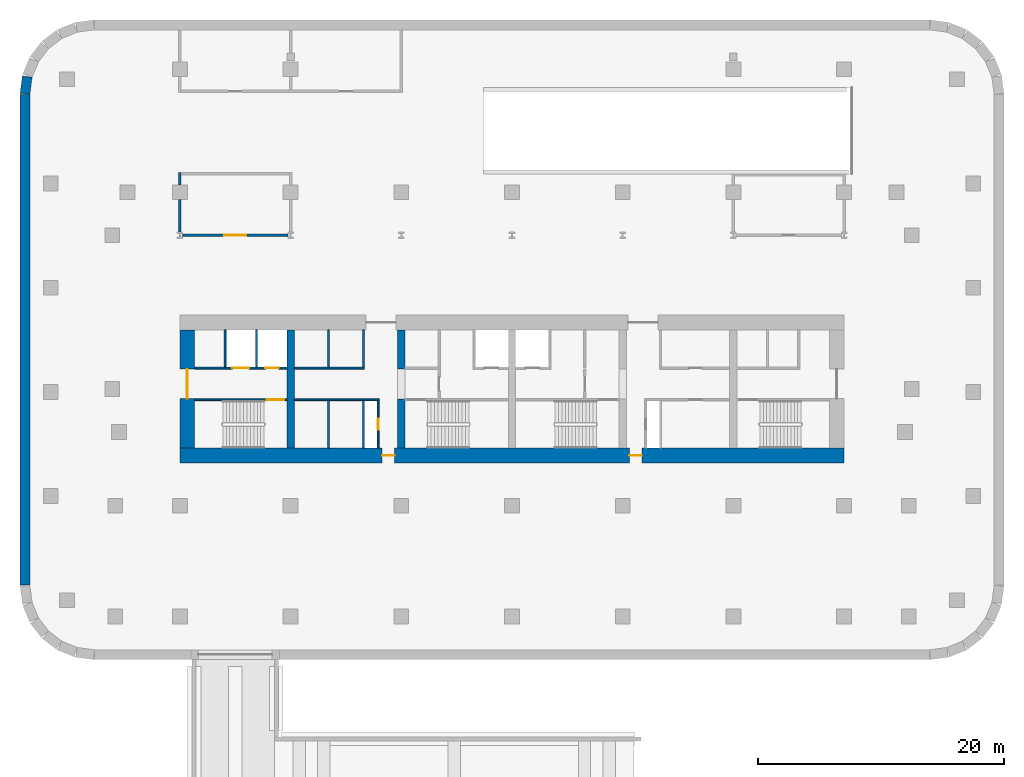
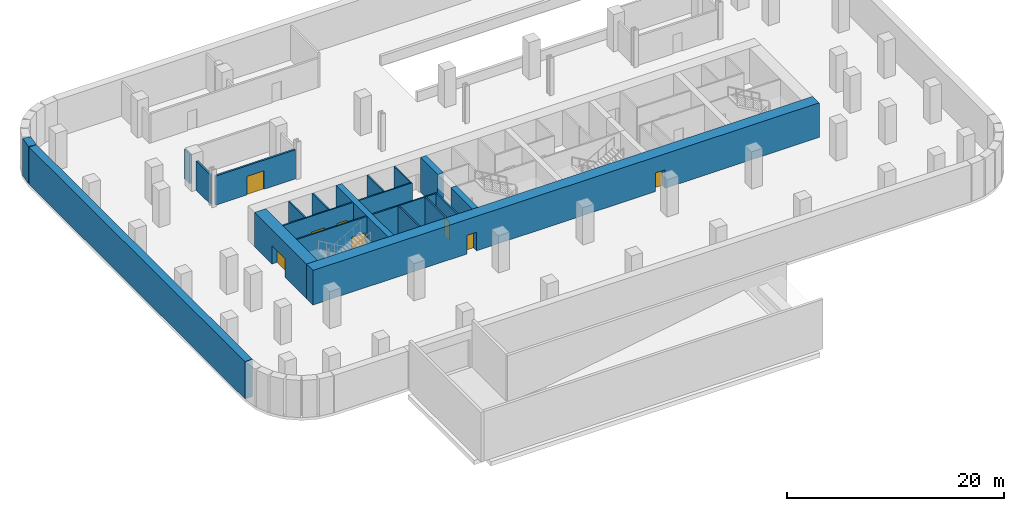
# One storey, part 2 of 6: 21 walls, 8 doors, 8 openings.
"""IFC4 building model written with IfcOpenShell, lengths in metres."""

from ifc_helpers import new_model, si_unit, direction, frame, frame_2d, origin, place, context, subcontext, project, spatial, rectangle, extrude, material, layer, layer_set, type_object, element, fill, save


model = new_model("IFC4")

# Units and contexts
model_context = context("Model", 3, precision=1e-05, world=origin(), true_north=direction((0.0, 1.0)))
body_context = subcontext(model_context, "Body", "Model", "MODEL_VIEW")
ifc_project = project(units=[si_unit("LENGTHUNIT", "METRE"), si_unit("AREAUNIT", "SQUARE_METRE"), si_unit("VOLUMEUNIT", "CUBIC_METRE"), si_unit("PLANEANGLEUNIT", "RADIAN"), si_unit("MASSUNIT", "GRAM", prefix="KILO")], contexts=[model_context])

# Site, building, storey
site_placement = place(None, origin())
site = spatial("IfcSite", under=ifc_project, at=site_placement, CompositionType="ELEMENT")
building_placement = place(site_placement, origin())
building = spatial("IfcBuilding", under=site, at=building_placement, Name="Zellij Exchange Tower", CompositionType="ELEMENT")
storey_placement = place(building_placement, frame((0.0, 0.0, -4.199951171875)))
storey = spatial("IfcBuildingStorey", under=building, at=storey_placement, Name="B1", CompositionType="ELEMENT", Elevation=-4.199951171875)

# Wall, opening, door
ifc_material_1 = material(Name="Concrete C32/40", Category="concrete")
ifc_layer_1 = layer(ifc_material_1, 0.199951171875)
ifc_layer_set_1 = layer_set([ifc_layer_1], Name="Concrete C32/40")
wall_type_1 = type_object("IfcWallType", Name="BSM-Wall 200", PredefinedType="PARTITIONING", material=ifc_layer_set_1)
wall_1_placement = place(storey_placement, frame((-26.772705078125, 4.5, 0.0), z_axis=(0.0, 0.0, 1.0), x_axis=(1.0, 0.0, 0.0)))
wall_1 = element("IfcWall", 1, at=wall_1_placement, inside=storey, type_object=wall_type_1, Name="Partition 1", PredefinedType="PARTITIONING", context=body_context, shape_type="SweptSolid", body=[
    extrude(rectangle(XDim=8.54541015625, YDim=0.199951171875, at=frame_2d((4.272705078125, 0.0))), origin(), (0.0, 0.0, 1.0), 3.287841796875),
])
opening_1_placement = place(wall_1_placement, frame((3.372802734375, 0.0, 0.0)))
opening_1 = element("IfcOpeningElement", 2, at=opening_1_placement, cuts=wall_1, Name="Opening BS1.01", PredefinedType="OPENING", context=body_context, shape_type="SweptSolid", body=[
    extrude(rectangle(XDim=1.800048828125, YDim=2.10009765625, at=frame_2d((0.89990234375, 1.050048828125))), frame((0.0, 0.11181640625, 0.0), z_axis=(0.0, -1.0, 0.0), x_axis=(1.0, 0.0, 0.0)), (0.0, 0.0, 1.0), 0.223876953125),
])
ifc_material_2 = material(Name="Painted steel door leaf", Category="steel")
door_type_1 = type_object("IfcDoorType", Name="BSM-Double door 1800x2100 FD60", OperationType="DOUBLE_DOOR_SINGLE_SWING", PredefinedType="DOOR", material=ifc_material_2)
door_1_placement = place(opening_1_placement, origin())
door_1 = element("IfcDoor", 3, at=door_1_placement, inside=storey, type_object=door_type_1, Name="bsm.B1.door.BS1.01", OperationType="DOUBLE_DOOR_SINGLE_SWING", OverallHeight=2.10009765625, OverallWidth=1.800048828125, PredefinedType="DOOR", context=body_context, shape_type="SweptSolid", body=[
    extrude(rectangle(XDim=1.800048828125, YDim=2.10009765625, at=frame_2d((0.89990234375, 1.050048828125))), frame((0.0, 0.02490234375, 0.0), z_axis=(0.0, -1.0, 0.0), x_axis=(1.0, 0.0, 0.0)), (0.0, 0.0, 1.0), 0.050048828125),
])
fill(opening_1, door_1)

# Walls
wall_2_placement = place(storey_placement, frame((-27.0, 4.784423828125, 0.0), z_axis=(0.0, 0.0, 1.0), x_axis=(0.0, 1.0, 0.0)))
element("IfcWall", 4, at=wall_2_placement, inside=storey, type_object=wall_type_1, Name="Partition 6", PredefinedType="PARTITIONING", context=body_context, shape_type="SweptSolid", body=[
    extrude(rectangle(XDim=2.615478515625, YDim=0.199951171875, at=frame_2d((1.3076171875, 0.0))), origin(), (0.0, 0.0, 1.0), 3.287841796875),
])
wall_3_placement = place(storey_placement, frame((-27.0, 8.60009765625, 0.0), z_axis=(0.0, 0.0, 1.0), x_axis=(0.0, 1.0, 0.0)))
element("IfcWall", 5, at=wall_3_placement, inside=storey, type_object=wall_type_1, Name="Partition 7", PredefinedType="PARTITIONING", context=body_context, shape_type="SweptSolid", body=[
    extrude(rectangle(XDim=1.0, YDim=0.199951171875, at=frame_2d((0.5, 0.0))), origin(), (0.0, 0.0, 1.0), 3.287841796875),
])
ifc_material_3 = material(Name="Concrete C70/85", Category="concrete")
ifc_layer_2 = layer(ifc_material_3, 0.60009765625)
ifc_layer_set_2 = layer_set([ifc_layer_2], Name="Concrete C70/85")
wall_type_2 = type_object("IfcWallType", Name="CORE-CW 600 C70/85", PredefinedType="SHEAR", material=ifc_layer_set_2)
wall_4_placement = place(storey_placement, frame((-18.0, -12.800048828125, 0.0), z_axis=(0.0, 0.0, 1.0), x_axis=(0.0, 1.0, 0.0)))
element("IfcWall", 6, at=wall_4_placement, inside=storey, type_object=wall_type_2, Name="Core cross wall x -18 B1", PredefinedType="SHEAR", context=body_context, shape_type="SweptSolid", body=[
    extrude(rectangle(XDim=9.60009765625, YDim=0.60009765625, at=frame_2d((4.800048828125, 0.0))), origin(), (0.0, 0.0, 1.0), 3.89990234375),
])
wall_5_placement = place(storey_placement, frame((-9.0, -12.800048828125, 0.0), z_axis=(0.0, 0.0, 1.0), x_axis=(0.0, 1.0, 0.0)))
element("IfcWall", 7, at=wall_5_placement, inside=storey, type_object=wall_type_2, Name="Core cross wall pier x -9 a B1", PredefinedType="SHEAR", context=body_context, shape_type="SweptSolid", body=[
    extrude(rectangle(XDim=4.0, YDim=0.60009765625, at=frame_2d((2.0, 0.0))), origin(), (0.0, 0.0, 1.0), 3.89990234375),
])
wall_6_placement = place(storey_placement, frame((-9.0, -6.375, 0.0), z_axis=(0.0, 0.0, 1.0), x_axis=(0.0, 1.0, 0.0)))
element("IfcWall", 8, at=wall_6_placement, inside=storey, type_object=wall_type_2, Name="Core cross wall pier x -9 b B1", PredefinedType="SHEAR", context=body_context, shape_type="SweptSolid", body=[
    extrude(rectangle(XDim=3.175048828125, YDim=0.60009765625, at=frame_2d((1.58740234375, 0.0))), origin(), (0.0, 0.0, 1.0), 3.89990234375),
])
ifc_material_4 = material(Name="Gypsum shaft wall system")
ifc_layer_3 = layer(ifc_material_4, 0.14990234375)
ifc_layer_set_3 = layer_set([ifc_layer_3], Name="Gypsum shaft wall system")
wall_type_3 = type_object("IfcWallType", Name="CORE-PW 150 Lift shaft wall", PredefinedType="PARTITIONING", material=ifc_layer_set_3)
for number, where, z_axis, x_axis, name in (
    (9, (-20.77490234375, -6.22509765625, 0.0), (0.0, 0.0, 1.0), (0.0, 1.0, 0.0), "Lift shaft wall B1"),
    (10, (-23.324951171875, -6.22509765625, 0.0), (0.0, 0.0, 1.0), (0.0, 1.0, 0.0), "Lift shaft wall B1"),
    (11, (-12.074951171875, -6.22509765625, 0.0), (0.0, 0.0, 1.0), (0.0, 1.0, 0.0), "Lift shaft wall B1"),
    (12, (-14.925048828125, -6.22509765625, 0.0), (0.0, 0.0, 1.0), (0.0, 1.0, 0.0), "Lift shaft wall B1"),
):
    element("IfcWall", number, at=place(storey_placement, frame(where, z_axis=z_axis, x_axis=x_axis)), inside=storey, type_object=wall_type_3, Name=name, PredefinedType="PARTITIONING", context=body_context, shape_type="SweptSolid", body=[
        extrude(rectangle(XDim=3.025146484375, YDim=0.14990234375, at=frame_2d((1.5126953125, 0.0))), origin(), (0.0, 0.0, 1.0), 3.89990234375),
    ])
for number, where, z_axis, x_axis, name in (
    (13, (-12.074951171875, -12.800048828125, 0.0), (0.0, 0.0, 1.0), (0.0, 1.0, 0.0), "Lift shaft wall B1"),
    (14, (-14.925048828125, -12.800048828125, 0.0), (0.0, 0.0, 1.0), (0.0, 1.0, 0.0), "Lift shaft wall B1"),
):
    element("IfcWall", number, at=place(storey_placement, frame(where, z_axis=z_axis, x_axis=x_axis)), inside=storey, type_object=wall_type_3, Name=name, PredefinedType="PARTITIONING", context=body_context, shape_type="SweptSolid", body=[
        extrude(rectangle(XDim=3.85009765625, YDim=0.14990234375, at=frame_2d((1.925048828125, 0.0))), origin(), (0.0, 0.0, 1.0), 3.89990234375),
    ])

# Wall, openings, doors
wall_7_placement = place(storey_placement, frame((-25.800048828125, -6.300048828125, 0.0), z_axis=(0.0, 0.0, 1.0), x_axis=(1.0, 0.0, 0.0)))
wall_7 = element("IfcWall", 15, at=wall_7_placement, inside=storey, type_object=wall_type_3, Name="Lift shaft wall B1", PredefinedType="PARTITIONING", context=body_context, shape_type="SweptSolid", body=[
    extrude(rectangle(XDim=7.5, YDim=0.14990234375, at=frame_2d((3.75, 0.0))), origin(), (0.0, 0.0, 1.0), 3.89990234375),
])
opening_2_placement = place(wall_7_placement, frame((3.050048828125, 0.0, 0.0)))
opening_2 = element("IfcOpeningElement", 16, at=opening_2_placement, cuts=wall_7, Name="Opening CA-02.02", PredefinedType="OPENING", context=body_context, shape_type="SweptSolid", body=[
    extrude(rectangle(XDim=1.39990234375, YDim=2.10009765625, at=frame_2d((0.699951171875, 1.050048828125))), frame((0.0, 0.0869140625, 0.0), z_axis=(0.0, -1.0, 0.0), x_axis=(1.0, 0.0, 0.0)), (0.0, 0.0, 1.0), 0.173828125),
])
opening_3_placement = place(wall_7_placement, frame((5.75, 0.0, 0.0)))
opening_3 = element("IfcOpeningElement", 17, at=opening_3_placement, cuts=wall_7, Name="Opening CA-02.03", PredefinedType="OPENING", context=body_context, shape_type="SweptSolid", body=[
    extrude(rectangle(XDim=1.10009765625, YDim=2.10009765625, at=frame_2d((0.550048828125, 1.050048828125))), frame((0.0, 0.0869140625, 0.0), z_axis=(0.0, -1.0, 0.0), x_axis=(1.0, 0.0, 0.0)), (0.0, 0.0, 1.0), 0.173828125),
])
ifc_material_5 = material(Name="Hollow metal fire door")
door_type_2 = type_object("IfcDoorType", Name="CORE-D LD Lift landing door 1100x2100 1.5 HR", OperationType="NOTDEFINED", PredefinedType="DOOR", material=ifc_material_5)
door_2_placement = place(opening_3_placement, origin())
door_2 = element("IfcDoor", 18, at=door_2_placement, inside=storey, type_object=door_type_2, Name="Lift landing door CA-02.03", OperationType="SLIDING_TO_LEFT", OverallHeight=2.10009765625, OverallWidth=1.10009765625, PredefinedType="DOOR", context=body_context, shape_type="SweptSolid", body=[
    extrude(rectangle(XDim=1.10009765625, YDim=2.10009765625, at=frame_2d((0.550048828125, 1.050048828125))), frame((0.0, 0.02490234375, 0.0), z_axis=(0.0, -1.0, 0.0), x_axis=(1.0, 0.0, 0.0)), (0.0, 0.0, 1.0), 0.050048828125),
])
fill(opening_3, door_2)
door_type_3 = type_object("IfcDoorType", Name="CORE-D LD2 Service lift landing door 1400x2100 1.5 HR", OperationType="NOTDEFINED", PredefinedType="DOOR", material=ifc_material_5)
door_3_placement = place(opening_2_placement, origin())
door_3 = element("IfcDoor", 19, at=door_3_placement, inside=storey, type_object=door_type_3, Name="Service lift landing door CA-02.02", OperationType="SLIDING_TO_RIGHT", OverallHeight=2.10009765625, OverallWidth=1.39990234375, PredefinedType="DOOR", context=body_context, shape_type="SweptSolid", body=[
    extrude(rectangle(XDim=1.39990234375, YDim=2.10009765625, at=frame_2d((0.699951171875, 1.050048828125))), frame((0.0, 0.02490234375, 0.0), z_axis=(0.0, -1.0, 0.0), x_axis=(1.0, 0.0, 0.0)), (0.0, 0.0, 1.0), 0.050048828125),
])
fill(opening_2, door_3)

# Walls
wall_8_placement = place(storey_placement, frame((-17.699951171875, -6.300048828125, 0.0), z_axis=(0.0, 0.0, 1.0), x_axis=(1.0, 0.0, 0.0)))
element("IfcWall", 20, at=wall_8_placement, inside=storey, type_object=wall_type_3, Name="Lift shaft wall B1", PredefinedType="PARTITIONING", context=body_context, shape_type="SweptSolid", body=[
    extrude(rectangle(XDim=5.699951171875, YDim=0.14990234375, at=frame_2d((2.85009765625, 0.0))), origin(), (0.0, 0.0, 1.0), 3.89990234375),
])
wall_9_placement = place(storey_placement, frame((-17.699951171875, -8.875, 0.0), z_axis=(0.0, 0.0, 1.0), x_axis=(1.0, 0.0, 0.0)))
element("IfcWall", 21, at=wall_9_placement, inside=storey, type_object=wall_type_3, Name="Lift shaft wall B1", PredefinedType="PARTITIONING", context=body_context, shape_type="SweptSolid", body=[
    extrude(rectangle(XDim=6.89990234375, YDim=0.14990234375, at=frame_2d((3.449951171875, 0.0))), origin(), (0.0, 0.0, 1.0), 3.89990234375),
])

# Wall, opening, door
ifc_layer_4 = layer(ifc_material_4, 0.14990234375)
ifc_layer_set_4 = layer_set([ifc_layer_4], Name="Gypsum shaft wall system")
wall_type_4 = type_object("IfcWallType", Name="CORE-PW 150 Plant room wall", PredefinedType="PARTITIONING", material=ifc_layer_set_4)
wall_10_placement = place(storey_placement, frame((-10.875, -12.800048828125, 0.0), z_axis=(0.0, 0.0, 1.0), x_axis=(0.0, 1.0, 0.0)))
wall_10 = element("IfcWall", 22, at=wall_10_placement, inside=storey, type_object=wall_type_4, Name="Plant room wall B1", PredefinedType="PARTITIONING", context=body_context, shape_type="SweptSolid", body=[
    extrude(rectangle(XDim=3.85009765625, YDim=0.14990234375, at=frame_2d((1.925048828125, 0.0))), origin(), (0.0, 0.0, 1.0), 3.89990234375),
])
opening_4_placement = place(wall_10_placement, frame((1.47509765625, 0.0, 0.0)))
opening_4 = element("IfcOpeningElement", 23, at=opening_4_placement, cuts=wall_10, Name="Opening CA-02.05", PredefinedType="OPENING", context=body_context, shape_type="SweptSolid", body=[
    extrude(rectangle(XDim=0.89990234375, YDim=2.10009765625, at=frame_2d((0.449951171875, 1.050048828125))), frame((0.0, 0.0869140625, 0.0), z_axis=(0.0, -1.0, 0.0), x_axis=(1.0, 0.0, 0.0)), (0.0, 0.0, 1.0), 0.173828125),
])
door_type_4 = type_object("IfcDoorType", Name="CORE-D RD Riser door 900x2100 1.5 HR", OperationType="NOTDEFINED", PredefinedType="DOOR", material=ifc_material_5)
door_4_placement = place(opening_4_placement, origin())
door_4 = element("IfcDoor", 24, at=door_4_placement, inside=storey, type_object=door_type_4, Name="Riser door CA-02.05", OperationType="SINGLE_SWING_RIGHT", OverallHeight=2.10009765625, OverallWidth=0.89990234375, PredefinedType="DOOR", context=body_context, shape_type="SweptSolid", body=[
    extrude(rectangle(XDim=0.89990234375, YDim=2.10009765625, at=frame_2d((0.449951171875, 1.050048828125))), frame((0.0, 0.02490234375, 0.0), z_axis=(0.0, -1.0, 0.0), x_axis=(1.0, 0.0, 0.0)), (0.0, 0.0, 1.0), 0.050048828125),
])
fill(opening_4, door_4)

# Wall, openings, doors
ifc_layer_5 = layer(ifc_material_3, 1.199951171875)
ifc_layer_set_5 = layer_set([ifc_layer_5], Name="Concrete C70/85")
wall_type_5 = type_object("IfcWallType", Name="CORE-SW 1200 C70/85", PredefinedType="SHEAR", material=ifc_layer_set_5)
wall_11_placement = place(storey_placement, frame((-27.0, -13.39990234375, 0.0), z_axis=(0.0, 0.0, 1.0), x_axis=(1.0, 0.0, 0.0)))
wall_11 = element("IfcWall", 25, at=wall_11_placement, inside=storey, type_object=wall_type_5, Name="Core shear wall rear B1", PredefinedType="SHEAR", context=body_context, shape_type="SweptSolid", body=[
    extrude(rectangle(XDim=54.0, YDim=1.199951171875, at=frame_2d((27.0, 0.0))), origin(), (0.0, 0.0, 1.0), 3.89990234375),
])
opening_5_placement = place(wall_11_placement, frame((16.449951171875, 0.0, 0.0)))
opening_5 = element("IfcOpeningElement", 26, at=opening_5_placement, cuts=wall_11, Name="Opening CA-02.07", PredefinedType="OPENING", context=body_context, shape_type="SweptSolid", body=[
    extrude(rectangle(XDim=1.0, YDim=2.10009765625, at=frame_2d((0.5, 1.050048828125))), frame((0.0, 0.61181640625, 0.0), z_axis=(0.0, -1.0, 0.0), x_axis=(1.0, 0.0, 0.0)), (0.0, 0.0, 1.0), 1.223876953125),
])
opening_6_placement = place(wall_11_placement, frame((36.550048828125, 0.0, 0.0)))
opening_6 = element("IfcOpeningElement", 27, at=opening_6_placement, cuts=wall_11, Name="Opening CA-02.14", PredefinedType="OPENING", context=body_context, shape_type="SweptSolid", body=[
    extrude(rectangle(XDim=1.0, YDim=2.10009765625, at=frame_2d((0.5, 1.050048828125))), frame((0.0, 0.61181640625, 0.0), z_axis=(0.0, -1.0, 0.0), x_axis=(1.0, 0.0, 0.0)), (0.0, 0.0, 1.0), 1.223876953125),
])
door_type_5 = type_object("IfcDoorType", Name="CORE-D CR Core rear door 1000x2100 20 MIN", OperationType="NOTDEFINED", PredefinedType="DOOR", material=ifc_material_5)
door_5_placement = place(opening_5_placement, origin())
door_5 = element("IfcDoor", 28, at=door_5_placement, inside=storey, type_object=door_type_5, Name="Core rear door CA-02.07", OperationType="SINGLE_SWING_RIGHT", OverallHeight=2.10009765625, OverallWidth=1.0, PredefinedType="DOOR", context=body_context, shape_type="SweptSolid", body=[
    extrude(rectangle(XDim=1.0, YDim=2.10009765625, at=frame_2d((0.5, 1.050048828125))), frame((0.0, 0.02490234375, 0.0), z_axis=(0.0, -1.0, 0.0), x_axis=(1.0, 0.0, 0.0)), (0.0, 0.0, 1.0), 0.050048828125),
])
fill(opening_5, door_5)
door_6_placement = place(opening_6_placement, origin())
door_6 = element("IfcDoor", 29, at=door_6_placement, inside=storey, type_object=door_type_5, Name="Core rear door CA-02.14", OperationType="SINGLE_SWING_LEFT", OverallHeight=2.10009765625, OverallWidth=1.0, PredefinedType="DOOR", context=body_context, shape_type="SweptSolid", body=[
    extrude(rectangle(XDim=1.0, YDim=2.10009765625, at=frame_2d((0.5, 1.050048828125))), frame((0.0, 0.02490234375, 0.0), z_axis=(0.0, -1.0, 0.0), x_axis=(1.0, 0.0, 0.0)), (0.0, 0.0, 1.0), 0.050048828125),
])
fill(opening_6, door_6)

# Wall, opening, door
wall_12_placement = place(storey_placement, frame((-26.39990234375, -12.800048828125, 0.0), z_axis=(0.0, 0.0, 1.0), x_axis=(0.0, 1.0, 0.0)))
wall_12 = element("IfcWall", 30, at=wall_12_placement, inside=storey, type_object=wall_type_5, Name="Core shear wall end w B1", PredefinedType="SHEAR", context=body_context, shape_type="SweptSolid", body=[
    extrude(rectangle(XDim=9.60009765625, YDim=1.199951171875, at=frame_2d((4.800048828125, 0.0))), origin(), (0.0, 0.0, 1.0), 3.89990234375),
])
opening_7_placement = place(wall_12_placement, frame((4.011962890625, 0.0, 0.0)))
opening_7 = element("IfcOpeningElement", 31, at=opening_7_placement, cuts=wall_12, Name="Opening CA-02.01", PredefinedType="OPENING", context=body_context, shape_type="SweptSolid", body=[
    extrude(rectangle(XDim=2.39990234375, YDim=2.10009765625, at=frame_2d((1.199951171875, 1.050048828125))), frame((0.0, 0.61181640625, 0.0), z_axis=(0.0, -1.0, 0.0), x_axis=(1.0, 0.0, 0.0)), (0.0, 0.0, 1.0), 1.223876953125),
])
door_type_6 = type_object("IfcDoorType", Name="CORE-D CE Core entrance door 2400x2100 20 MIN", OperationType="NOTDEFINED", PredefinedType="DOOR", material=ifc_material_5)
door_7_placement = place(opening_7_placement, origin())
door_7 = element("IfcDoor", 32, at=door_7_placement, inside=storey, type_object=door_type_6, Name="Core entrance door CA-02.01", OperationType="DOUBLE_DOOR_SINGLE_SWING", OverallHeight=2.10009765625, OverallWidth=2.39990234375, PredefinedType="DOOR", context=body_context, shape_type="SweptSolid", body=[
    extrude(rectangle(XDim=2.39990234375, YDim=2.10009765625, at=frame_2d((1.199951171875, 1.050048828125))), frame((0.0, 0.02490234375, 0.0), z_axis=(0.0, -1.0, 0.0), x_axis=(1.0, 0.0, 0.0)), (0.0, 0.0, 1.0), 0.050048828125),
])
fill(opening_7, door_7)

ifc_layer_6 = layer(ifc_material_3, 0.14990234375)
ifc_layer_set_6 = layer_set([ifc_layer_6], Name="Concrete C70/85")
wall_type_6 = type_object("IfcWallType", Name="CORE-SWS 150 C70/85", PredefinedType="SHEAR", material=ifc_layer_set_6)
wall_13_placement = place(storey_placement, frame((-25.800048828125, -8.875, 0.0), z_axis=(0.0, 0.0, 1.0), x_axis=(1.0, 0.0, 0.0)))
wall_13 = element("IfcWall", 33, at=wall_13_placement, inside=storey, type_object=wall_type_6, Name="Stair enclosure wall B1", PredefinedType="SHEAR", context=body_context, shape_type="SweptSolid", body=[
    extrude(rectangle(XDim=7.5, YDim=0.14990234375, at=frame_2d((3.75, 0.0))), origin(), (0.0, 0.0, 1.0), 3.89990234375),
])
opening_8_placement = place(wall_13_placement, frame((5.875, 0.0, 0.0)))
opening_8 = element("IfcOpeningElement", 34, at=opening_8_placement, cuts=wall_13, Name="Opening CA-02.04", PredefinedType="OPENING", context=body_context, shape_type="SweptSolid", body=[
    extrude(rectangle(XDim=1.39990234375, YDim=2.10009765625, at=frame_2d((0.699951171875, 1.050048828125))), frame((0.0, 0.0869140625, 0.0), z_axis=(0.0, -1.0, 0.0), x_axis=(1.0, 0.0, 0.0)), (0.0, 0.0, 1.0), 0.173828125),
])
door_type_7 = type_object("IfcDoorType", Name="CORE-D SD Stair door 1400x2100 1.5 HR", OperationType="NOTDEFINED", PredefinedType="DOOR", material=ifc_material_5)
door_8_placement = place(opening_8_placement, origin())
door_8 = element("IfcDoor", 35, at=door_8_placement, inside=storey, type_object=door_type_7, Name="Stair door CA-02.04", OperationType="DOUBLE_DOOR_SINGLE_SWING", OverallHeight=2.10009765625, OverallWidth=1.39990234375, PredefinedType="DOOR", context=body_context, shape_type="SweptSolid", body=[
    extrude(rectangle(XDim=1.39990234375, YDim=2.10009765625, at=frame_2d((0.699951171875, 1.050048828125))), frame((0.0, 0.02490234375, 0.0), z_axis=(0.0, -1.0, 0.0), x_axis=(1.0, 0.0, 0.0)), (0.0, 0.0, 1.0), 0.050048828125),
])
fill(opening_8, door_8)

# Walls
ifc_material_6 = material(Name="Concrete C40/50", Category="concrete")
ifc_layer_7 = layer(ifc_material_6, 0.800048828125)
ifc_layer_set_7 = layer_set([ifc_layer_7], Name="Concrete C40/50")
wall_type_7 = type_object("IfcWallType", Name="STR-RETAINING WALL 800 C40/50", PredefinedType="SOLIDWALL", material=ifc_layer_set_7)
wall_14_placement = place(storey_placement, frame((-39.60009765625, -23.947509765625, 0.0), z_axis=(0.0, 0.0, 1.0), x_axis=(0.0, 1.0, 0.0)))
element("IfcWall", 36, at=wall_14_placement, inside=storey, type_object=wall_type_7, Name="Retaining wall B1", PredefinedType="SOLIDWALL", context=body_context, shape_type="SweptSolid", body=[
    extrude(rectangle(XDim=39.89501953125, YDim=0.800048828125, at=frame_2d((19.947509765625, 0.0))), origin(), (0.0, 0.0, 1.0), 4.199951171875),
])
wall_15_placement = place(storey_placement, frame((-39.5966796875, 15.999755859375, 0.0), z_axis=(0.0, 0.0, 1.0), x_axis=(0.130517283865, 0.99144603414, 0.0)))
element("IfcWall", 37, at=wall_15_placement, inside=storey, type_object=wall_type_7, Name="Retaining wall B1", PredefinedType="SOLIDWALL", context=body_context, shape_type="SweptSolid", body=[
    extrude(rectangle(XDim=1.408447265625, YDim=0.800048828125, at=frame_2d((0.7041015625, 0.0))), origin(), (0.0, 0.0, 1.0), 4.199951171875),
])

save(model, "model.ifc")
